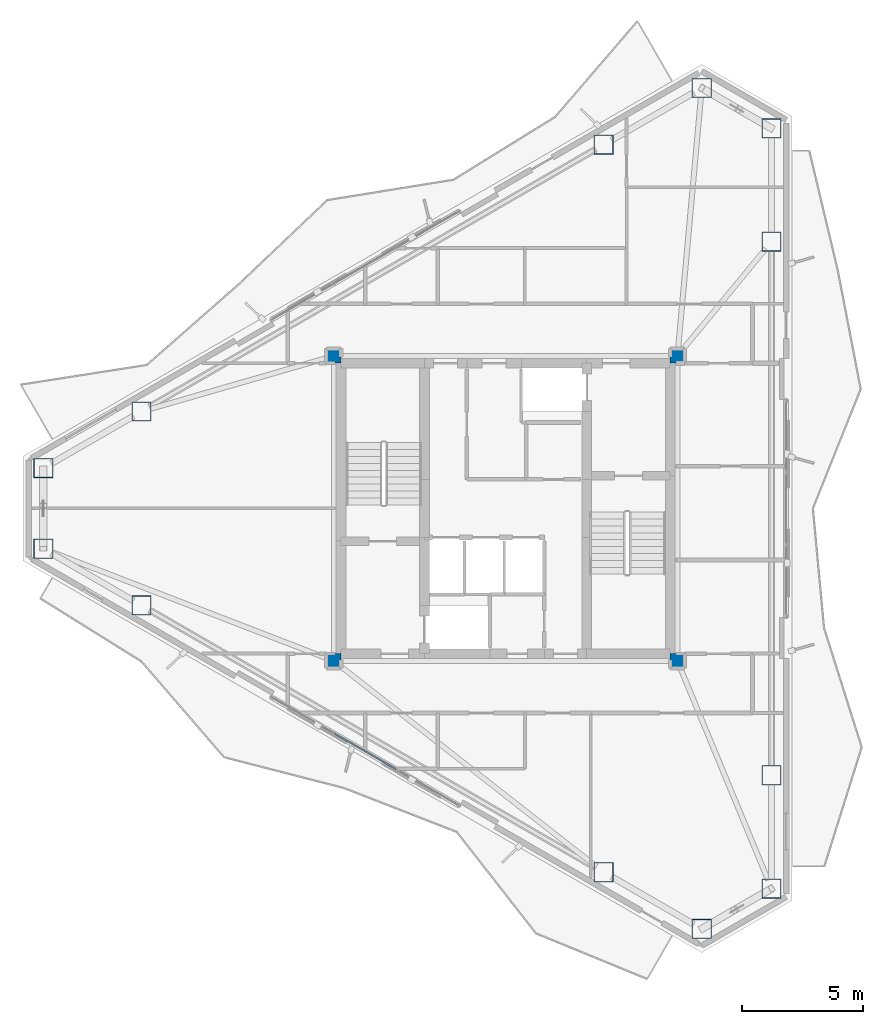
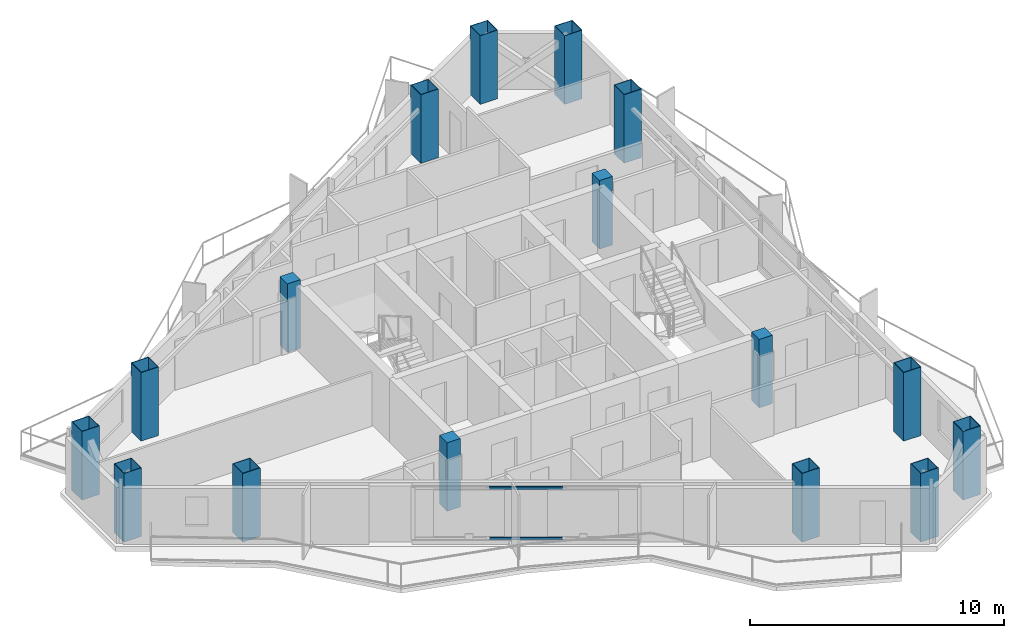
# One storey, part 1 of 21: 16 columns, 2 members, 1 element without a shape of its own.
"""IFC4 building model written with IfcOpenShell, lengths in metres."""

from ifc_helpers import new_model, si_unit, direction, frame, origin, origin_2d, place, context, subcontext, project, spatial, rectangle, hollow_rectangle, extrude, material, layer, layer_set, material_profile, profile_set, type_object, element, aggregate, save


model = new_model("IFC4")

# Units and contexts
model_context = context("Model", 3, precision=1e-05, world=origin(), true_north=direction((0.0, 1.0)))
body_context = subcontext(model_context, "Body", "Model", "MODEL_VIEW")
ifc_project = project(units=[si_unit("LENGTHUNIT", "METRE"), si_unit("AREAUNIT", "SQUARE_METRE"), si_unit("VOLUMEUNIT", "CUBIC_METRE"), si_unit("PLANEANGLEUNIT", "RADIAN"), si_unit("MASSUNIT", "GRAM", prefix="KILO")], contexts=[model_context])

# Site, building, storey
site_placement = place(None, origin())
site = spatial("IfcSite", under=ifc_project, at=site_placement, CompositionType="ELEMENT")
building_placement = place(site_placement, origin())
building = spatial("IfcBuilding", under=site, at=building_placement, Name="Mersakhor Tower and Convention Hall", CompositionType="ELEMENT")
storey_placement = place(building_placement, frame((0.0, 0.0, 211.800048828125)))
storey = spatial("IfcBuildingStorey", under=building, at=storey_placement, Name="L59", CompositionType="ELEMENT", Elevation=211.800048828125)

# Columns
ifc_material_1 = material(Name="Concrete C50/60 in S460M steel box", Category="concrete")
ifc_material_profile_1 = material_profile(ifc_material_1, hollow_rectangle(XDim=0.800048828125, YDim=0.800048828125, WallThickness=0.02490234375, at=origin_2d()), Name="SHS 800x800x25")
ifc_profile_set_1 = profile_set([ifc_material_profile_1], Name="Concrete C50/60 in S460M steel box")
column_type_1 = type_object("IfcColumnType", Name="COL-CFT-800", PredefinedType="COLUMN", material=ifc_profile_set_1)
for number, where, z_axis, x_axis, name in (
    (1, (9.907470703125, 28.415283203125, 0.0), (0.0, 0.0, 1.0), (1.0, 0.0, 0.0), "L59 Perimeter Mega-Column MC-01"),
    (2, (13.959716796875, 30.7548828125, 0.0), (0.0, 0.0, 1.0), (1.0, 0.0, 0.0), "L59 Perimeter Mega-Column MC-02"),
    (3, (33.0517578125, 41.777587890625, 0.0), (0.0, 0.0, 1.0), (1.0, 0.0, 0.0), "L59 Perimeter Mega-Column MC-03"),
    (4, (37.10400390625, 44.1171875, 0.0), (0.0, 0.0, 1.0), (1.0, 0.0, 0.0), "L59 Perimeter Mega-Column MC-04"),
    (5, (39.98828125, 42.451904296875, 0.0), (0.0, 0.0, 1.0), (1.0, 0.0, 0.0), "L59 Perimeter Mega-Column MC-05"),
    (6, (39.98828125, 37.772705078125, 0.0), (0.0, 0.0, 1.0), (1.0, 0.0, 0.0), "L59 Perimeter Mega-Column MC-06"),
    (7, (39.98828125, 15.727294921875, 0.0), (0.0, 0.0, 1.0), (1.0, 0.0, 0.0), "L59 Perimeter Mega-Column MC-07"),
    (8, (39.98828125, 11.048095703125, 0.0), (0.0, 0.0, 1.0), (1.0, 0.0, 0.0), "L59 Perimeter Mega-Column MC-08"),
    (9, (37.10400390625, 9.3828125, 0.0), (0.0, 0.0, 1.0), (1.0, 0.0, 0.0), "L59 Perimeter Mega-Column MC-09"),
    (10, (33.0517578125, 11.722412109375, 0.0), (0.0, 0.0, 1.0), (1.0, 0.0, 0.0), "L59 Perimeter Mega-Column MC-10"),
    (11, (13.959716796875, 22.7451171875, 0.0), (0.0, 0.0, 1.0), (1.0, 0.0, 0.0), "L59 Perimeter Mega-Column MC-11"),
    (12, (9.907470703125, 25.084716796875, 0.0), (0.0, 0.0, 1.0), (1.0, 0.0, 0.0), "L59 Perimeter Mega-Column MC-12"),
):
    element("IfcColumn", number, at=place(storey_placement, frame(where, z_axis=z_axis, x_axis=x_axis)), inside=storey, type_object=column_type_1, Name=name, PredefinedType="COLUMN", context=body_context, shape_type="SweptSolid", body=[
        extrude(hollow_rectangle(XDim=0.800048828125, YDim=0.800048828125, WallThickness=0.02490234375, at=origin_2d()), origin(), (0.0, 0.0, 1.0), 3.300048828125),
    ])
ifc_material_2 = material(Name="Concrete C50/60", Category="concrete")
ifc_material_profile_2 = material_profile(ifc_material_2, rectangle(XDim=0.60009765625, YDim=0.60009765625, at=origin_2d()), Name="RC 600x600")
ifc_profile_set_2 = profile_set([ifc_material_profile_2], Name="Concrete C50/60")
column_type_2 = type_object("IfcColumnType", Name="COL-RC-600", PredefinedType="COLUMN", material=ifc_profile_set_2)
for number, where, z_axis, x_axis, name in (
    (13, (21.89990234375, 20.449951171875, 0.0), (0.0, 0.0, 1.0), (1.0, 0.0, 0.0), "L59 Core Corner Column CC-1"),
    (14, (21.89990234375, 33.050048828125, 0.0), (0.0, 0.0, 1.0), (1.0, 0.0, 0.0), "L59 Core Corner Column CC-2"),
    (15, (36.10009765625, 33.050048828125, 0.0), (0.0, 0.0, 1.0), (1.0, 0.0, 0.0), "L59 Core Corner Column CC-3"),
    (16, (36.10009765625, 20.449951171875, 0.0), (0.0, 0.0, 1.0), (1.0, 0.0, 0.0), "L59 Core Corner Column CC-4"),
):
    element("IfcColumn", number, at=place(storey_placement, frame(where, z_axis=z_axis, x_axis=x_axis)), inside=storey, type_object=column_type_2, Name=name, PredefinedType="COLUMN", context=body_context, shape_type="SweptSolid", body=[
        extrude(rectangle(XDim=0.60009765625, YDim=0.60009765625, at=origin_2d()), origin(), (0.0, 0.0, 1.0), 3.300048828125),
    ])

# Curtain wall, members
ifc_material_3 = material(Name="Dark solar low-E aluminium curtain wall", Category="aluminium")
ifc_layer = layer(ifc_material_3, 0.169921875)
ifc_layer_set = layer_set([ifc_layer], Name="Dark solar low-E aluminium curtain wall")
curtain_wall_type = type_object("IfcCurtainWallType", Name="CW-SYS-02", PredefinedType="USERDEFINED", material=ifc_layer_set)
curtain_wall_placement = place(storey_placement, origin())
curtain_wall = element("IfcCurtainWall", 17, at=curtain_wall_placement, inside=storey, type_object=curtain_wall_type, Name="L59 Dark-Glass Curtain Wall F3-B2", ObjectType="CURTAIN WALL", PredefinedType="USERDEFINED")
ifc_material_4 = material(Name="Anodised aluminium EN AW-6063 T6", Category="aluminium")
ifc_material_profile_3 = material_profile(ifc_material_4, hollow_rectangle(XDim=0.06005859375, YDim=0.1201171875, WallThickness=0.0048828125, at=origin_2d()), Name="RHS 120x60x5")
ifc_profile_set_3 = profile_set([ifc_material_profile_3], Name="Anodised aluminium EN AW-6063 T6")
member_type = type_object("IfcMemberType", Name="CWT-120x60", PredefinedType="USERDEFINED", material=ifc_profile_set_3)
member_1_placement = place(storey_placement, frame((24.47216796875, 15.98291015625, 0.22998046875), z_axis=(-0.866004860328, 0.500035580622, 0.0), x_axis=(-0.500035580622, -0.866004860328, 0.0)))
member_1 = element("IfcMember", 18, at=member_1_placement, type_object=member_type, Name="CW-02 transom 2.1", ObjectType="TRANSOM", PredefinedType="USERDEFINED", context=body_context, shape_type="SweptSolid", body=[
    extrude(hollow_rectangle(XDim=0.06005859375, YDim=0.1201171875, WallThickness=0.0048828125, at=origin_2d()), origin(), (0.0, 0.0, 1.0), 2.924560546875),
])
member_2_placement = place(storey_placement, frame((24.47216796875, 15.98291015625, 2.659912109375), z_axis=(-0.866004860328, 0.500035580622, 0.0), x_axis=(-0.500035580622, -0.866004860328, 0.0)))
member_2 = element("IfcMember", 19, at=member_2_placement, type_object=member_type, Name="CW-02 transom 2.2", ObjectType="TRANSOM", PredefinedType="USERDEFINED", context=body_context, shape_type="SweptSolid", body=[
    extrude(hollow_rectangle(XDim=0.06005859375, YDim=0.1201171875, WallThickness=0.0048828125, at=origin_2d()), origin(), (0.0, 0.0, 1.0), 2.924560546875),
])
aggregate(curtain_wall, [member_1, member_2])

save(model, "model.ifc")
